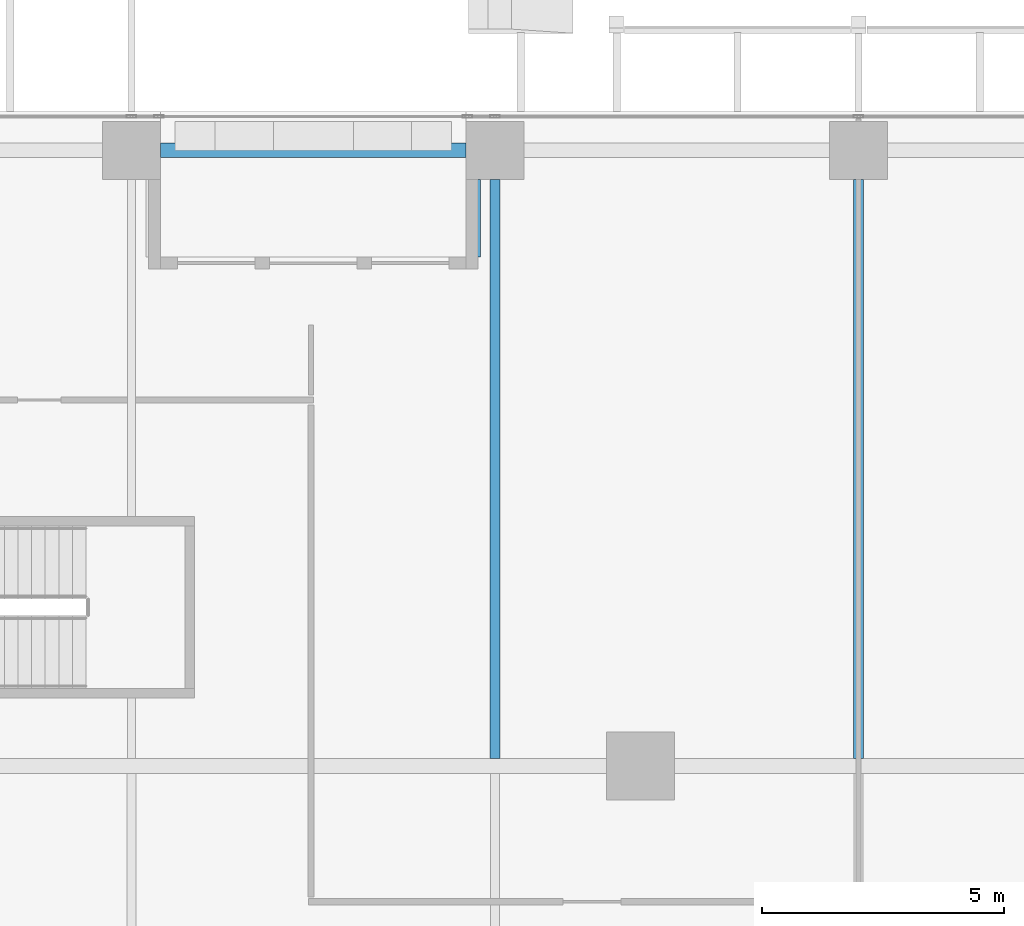
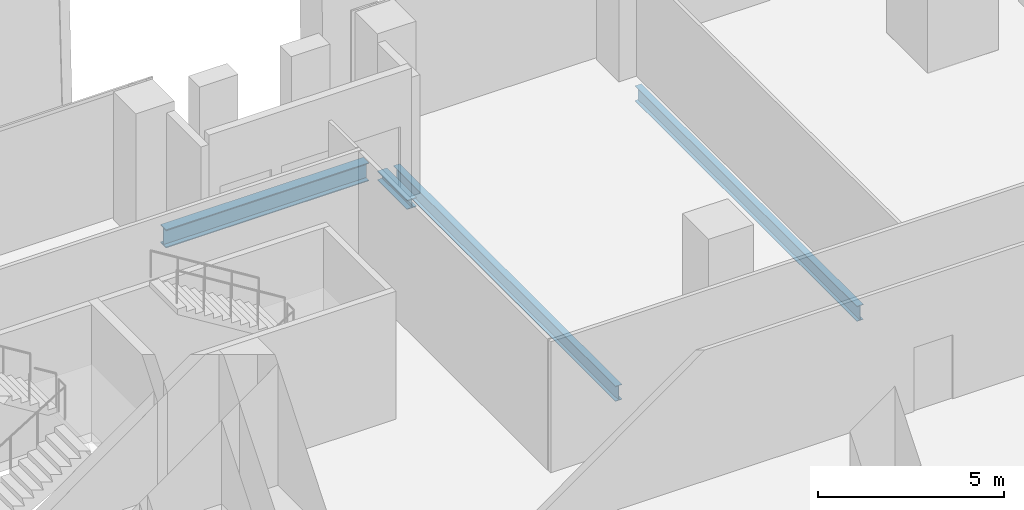
# One storey, part 18 of 35: 4 beams.
"""IFC4 building model written with IfcOpenShell, lengths in metres."""

from ifc_helpers import new_model, si_unit, direction, frame, origin, origin_2d, place, context, subcontext, project, spatial, i_section, extrude, source, transform, mapped, material, material_profile, profile_set, type_object, element, save


model = new_model("IFC4")

# Units and contexts
model_context = context("Model", 3, precision=1e-05, world=origin(), true_north=direction((0.0, 1.0)))
body_context = subcontext(model_context, "Body", "Model", "MODEL_VIEW")
ifc_project = project(units=[si_unit("LENGTHUNIT", "METRE"), si_unit("AREAUNIT", "SQUARE_METRE"), si_unit("VOLUMEUNIT", "CUBIC_METRE"), si_unit("PLANEANGLEUNIT", "RADIAN"), si_unit("MASSUNIT", "GRAM", prefix="KILO")], contexts=[model_context])

# Site, building, storey
site_placement = place(None, origin())
site = spatial("IfcSite", under=ifc_project, at=site_placement, CompositionType="ELEMENT")
building_placement = place(site_placement, origin())
building = spatial("IfcBuilding", under=site, at=building_placement, Name="Khomas Fold Tower", CompositionType="ELEMENT")
storey_placement = place(building_placement, frame((0.0, 0.0, 87.0)))
storey = spatial("IfcBuildingStorey", under=building, at=storey_placement, Name="L18", CompositionType="ELEMENT", Elevation=87.0)

# Beams
ifc_material_1 = material(Name="Steel S355", Category="steel")
ifc_material_profile_1 = material_profile(ifc_material_1, i_section(OverallWidth=0.300048828125, OverallDepth=0.60009765625, WebThickness=0.015380859375, FlangeThickness=0.030029296875, at=origin_2d()), Name="HE 600 B")
ifc_profile_set_1 = profile_set([ifc_material_profile_1], Name="Steel S355")
beam_type_1 = type_object("IfcBeamType", Name="HE 600 B spandrel SB1", PredefinedType="SPANDREL", material=ifc_profile_set_1)
shared_shape_1 = source(origin(), body_context, "Body", "SweptSolid", [
    extrude(i_section(OverallWidth=0.300048828125, OverallDepth=0.60009765625, WebThickness=0.015380859375, FlangeThickness=0.030029296875, at=origin_2d()), origin(), (0.0, 0.0, 1.0), 6.2998046875),
])
beam_1_placement = place(storey_placement, frame((27.60009765625, 53.199951171875, -0.60009765625), z_axis=(1.0, 0.0, 0.0), x_axis=(0.0, 1.0, 0.0)))
element("IfcBeam", 1, at=beam_1_placement, inside=storey, type_object=beam_type_1, Name="SB1", PredefinedType="SPANDREL", context=body_context, shape_type="MappedRepresentation", body=[
    mapped(shared_shape_1, transform((0.0, 0.0, 0.0))),
])
ifc_material_2 = material(Name="Steel S355", Category="steel")
ifc_material_profile_2 = material_profile(ifc_material_2, i_section(OverallWidth=0.300048828125, OverallDepth=0.300048828125, WebThickness=0.010986328125, FlangeThickness=0.01904296875, at=origin_2d()), Name="HE 300 B")
ifc_profile_set_2 = profile_set([ifc_material_profile_2], Name="Steel S355")
beam_type_2 = type_object("IfcBeamType", Name="HE 300 B beam BB1", PredefinedType="BEAM", material=ifc_profile_set_2)
shared_shape_2 = source(origin(), body_context, "Body", "SweptSolid", [
    extrude(i_section(OverallWidth=0.300048828125, OverallDepth=0.300048828125, WebThickness=0.010986328125, FlangeThickness=0.01904296875, at=origin_2d()), origin(), (0.0, 0.0, 1.0), 1.60009765625),
])
beam_2_placement = place(storey_placement, frame((34.050048828125, 51.0, -0.449951171875), z_axis=(0.0, 1.0, 0.0), x_axis=(-1.0, 0.0, 0.0)))
element("IfcBeam", 2, at=beam_2_placement, inside=storey, type_object=beam_type_2, Name="BB1", PredefinedType="BEAM", context=body_context, shape_type="MappedRepresentation", body=[
    mapped(shared_shape_2, transform((0.0, 0.0, 0.0))),
])
ifc_material_3 = material(Name="Steel S355", Category="steel")
ifc_material_profile_3 = material_profile(ifc_material_3, i_section(OverallWidth=0.199951171875, OverallDepth=0.5, WebThickness=0.01025390625, FlangeThickness=0.01611328125, at=origin_2d()), Name="IPE 500")
ifc_profile_set_3 = profile_set([ifc_material_profile_3], Name="Steel S355")
beam_type_3 = type_object("IfcBeamType", Name="IPE 500 beam JB5", PredefinedType="BEAM", material=ifc_profile_set_3)
shared_shape_3 = source(origin(), body_context, "Body", "SweptSolid", [
    extrude(i_section(OverallWidth=0.199951171875, OverallDepth=0.5, WebThickness=0.01025390625, FlangeThickness=0.01611328125, at=origin_2d()), origin(), (0.0, 0.0, 1.0), 11.9501953125),
])
for number, where, z_axis, x_axis, name in (
    (3, (34.5, 40.64990234375, -0.550048828125), (0.0, 1.0, 0.0), (-1.0, 0.0, 0.0), "JB5"),
    (4, (42.0, 40.64990234375, -0.550048828125), (0.0, 1.0, 0.0), (-1.0, 0.0, 0.0), "JB5"),
):
    element("IfcBeam", number, at=place(storey_placement, frame(where, z_axis=z_axis, x_axis=x_axis)), inside=storey, type_object=beam_type_3, Name=name, PredefinedType="BEAM", context=body_context, shape_type="MappedRepresentation", body=[
        mapped(shared_shape_3, transform((0.0, 0.0, 0.0))),
    ])

save(model, "model.ifc")
